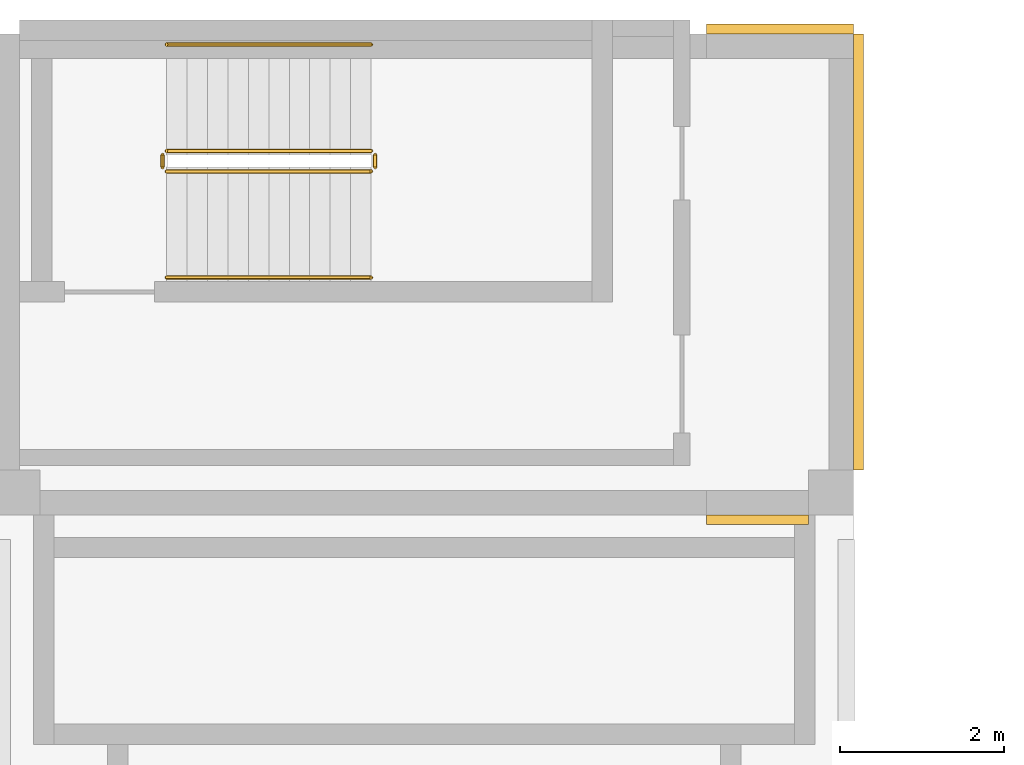
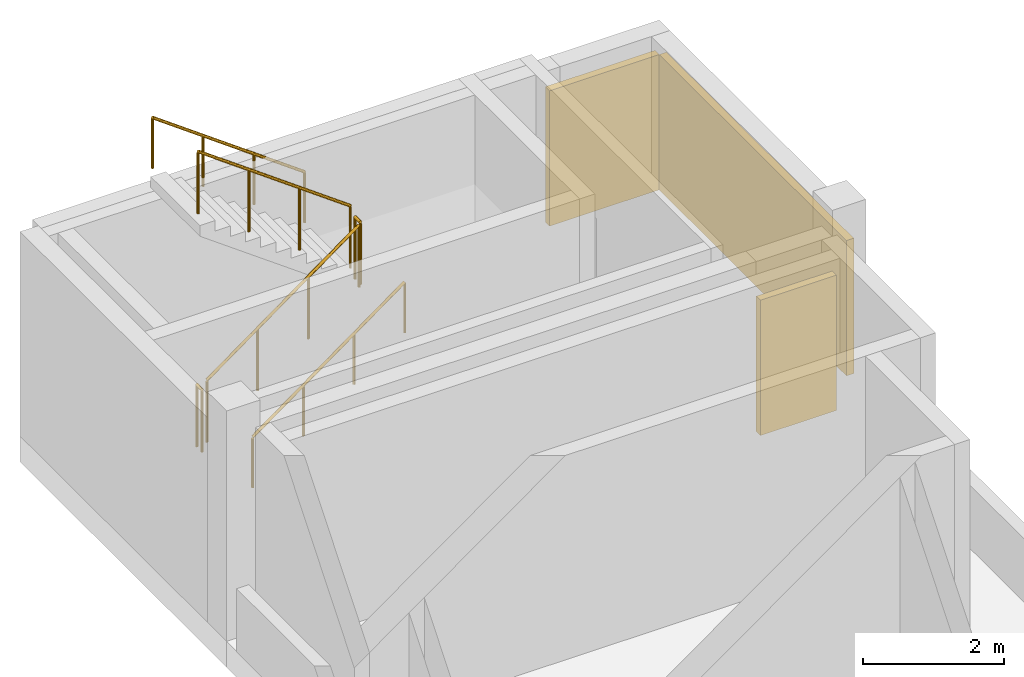
# One storey, part 4 of 4: 6 railings, 3 coverings.
"""IFC4 building model written with IfcOpenShell, lengths in metres."""

from ifc_helpers import new_model, si_unit, direction, frame, origin, origin_2d, place, context, subcontext, project, spatial, rectangle, circle, extrude, source, transform, mapped, material, type_object, element, save


model = new_model("IFC4")

# Units and contexts
model_context = context("Model", 3, precision=1e-05, world=origin(), true_north=direction((0.0, 1.0)))
body_context = subcontext(model_context, "Body", "Model", "MODEL_VIEW")
ifc_project = project(units=[si_unit("LENGTHUNIT", "METRE"), si_unit("AREAUNIT", "SQUARE_METRE"), si_unit("VOLUMEUNIT", "CUBIC_METRE"), si_unit("PLANEANGLEUNIT", "RADIAN"), si_unit("MASSUNIT", "GRAM", prefix="KILO")], contexts=[model_context])

# Site, building, storey
site_placement = place(None, origin())
site = spatial("IfcSite", under=ifc_project, at=site_placement, CompositionType="ELEMENT")
building_placement = place(site_placement, origin())
building = spatial("IfcBuilding", under=site, at=building_placement, Name="Aurelian Terraces", CompositionType="ELEMENT")
storey_placement = place(building_placement, frame((0.0, 0.0, 376.5)))
storey = spatial("IfcBuildingStorey", under=building, at=storey_placement, Name="L90", CompositionType="ELEMENT", Elevation=376.5)

# Coverings
ifc_material_1 = material(Name="Terracotta rainscreen cladding louvre blades", Category="masonry")
covering_type = type_object("IfcCoveringType", Name="LOUVRE-TC", PredefinedType="CLADDING", material=ifc_material_1)
covering_1_placement = place(storey_placement, frame((19.825, 37.74, 0.6), z_axis=(0.0, 0.0, 1.0), x_axis=(1.0, 0.0, 0.0)))
element("IfcCovering", 1, at=covering_1_placement, inside=storey, type_object=covering_type, Name="LOUVRE L90 F05", PredefinedType="CLADDING", context=body_context, shape_type="SweptSolid", body=[
    extrude(rectangle(XDim=1.25, YDim=0.12, at=origin_2d()), origin(), (0.0, 0.0, 1.0), 2.35),
])
covering_2_placement = place(storey_placement, frame((21.06, 41.015, 0.6), z_axis=(0.0, 0.0, 1.0), x_axis=(1.0, 0.0, 0.0)))
element("IfcCovering", 2, at=covering_2_placement, inside=storey, type_object=covering_type, Name="LOUVRE L90 F06", PredefinedType="CLADDING", context=body_context, shape_type="SweptSolid", body=[
    extrude(rectangle(XDim=0.12, YDim=5.33, at=origin_2d()), origin(), (0.0, 0.0, 1.0), 2.35),
])
shared_shape_1 = source(origin(), body_context, "Body", "SweptSolid", [
    extrude(rectangle(XDim=1.8, YDim=0.12, at=origin_2d()), origin(), (0.0, 0.0, 1.0), 2.35),
])
covering_3_placement = place(storey_placement, frame((20.1, 43.74, 0.6), z_axis=(0.0, 0.0, 1.0), x_axis=(1.0, 0.0, 0.0)))
element("IfcCovering", 3, at=covering_3_placement, inside=storey, type_object=covering_type, Name="LOUVRE L90 F07", PredefinedType="CLADDING", context=body_context, shape_type="MappedRepresentation", body=[
    mapped(shared_shape_1, transform((0.0, 0.0, 0.0), scale=1.0)),
])

# Railings
ifc_material_2 = material(Name="Stainless steel", Category="steel")
railing_type_1 = type_object("IfcRailingType", Name="Stair guard 1100", PredefinedType="GUARDRAIL", material=ifc_material_2)
shared_shape_2 = source(origin(), body_context, "Body", "SweptSolid", [
    extrude(circle(Radius=0.024, at=origin_2d()), frame((0.0, 0.0, 1.076), z_axis=(0.0, 1.0, 0.0), x_axis=(-1.0, 0.0, 0.0)), (0.0, 0.0, 1.0), 0.15),
    extrude(circle(Radius=0.021, at=origin_2d()), origin(), (0.0, 0.0, 1.0), 1.052),
    extrude(circle(Radius=0.021, at=origin_2d()), frame((0.0, 0.15, 0.0)), (0.0, 0.0, 1.0), 1.052),
])
for number, where, name in (
    (4, (15.15, 42.05, 2.0), "L90 S3U stair guard 2"),
    (5, (12.55, 42.05, 0.0), "L90 S3U stair guard 4"),
):
    element("IfcRailing", number, at=place(storey_placement, frame(where)), inside=storey, type_object=railing_type_1, Name=name, PredefinedType="GUARDRAIL", context=body_context, shape_type="MappedRepresentation", body=[
        mapped(shared_shape_2, transform((0.0, 0.0, 0.0), scale=1.0)),
    ])
shared_shape_3 = source(origin(), body_context, "Body", "SweptSolid", [
    extrude(circle(Radius=0.024, at=origin_2d()), frame((0.0, 0.0, 1.076), z_axis=(0.808733286514, 0.0, 0.588175544616), x_axis=(0.0, 1.0, 0.0)), (0.0, 0.0, 1.0), 3.0913),
    extrude(circle(Radius=0.021, at=origin_2d()), origin(), (0.0, 0.0, 1.0), 1.052),
    extrude(circle(Radius=0.021, at=origin_2d()), frame((0.8333, 0.0, 0.6061)), (0.0, 0.0, 1.0), 1.052),
    extrude(circle(Radius=0.021, at=origin_2d()), frame((1.6667, 0.0, 1.2121)), (0.0, 0.0, 1.0), 1.052),
    extrude(circle(Radius=0.021, at=origin_2d()), frame((2.5, 0.0, 1.8182)), (0.0, 0.0, 1.0), 1.052),
])
railing_1_placement = place(storey_placement, frame((12.6, 42.0, 0.1818)))
element("IfcRailing", 6, at=railing_1_placement, inside=storey, type_object=railing_type_1, Name="L90 S3U stair guard 1", PredefinedType="GUARDRAIL", context=body_context, shape_type="MappedRepresentation", body=[
    mapped(shared_shape_3, transform((0.0, 0.0, 0.0), scale=1.0)),
])
shared_shape_4 = source(origin(), body_context, "Body", "SweptSolid", [
    extrude(circle(Radius=0.024, at=origin_2d()), frame((0.0, 0.0, 1.076), z_axis=(-0.808733286514, 0.0, 0.588175544616), x_axis=(0.0, -1.0, 0.0)), (0.0, 0.0, 1.0), 3.0913),
    extrude(circle(Radius=0.021, at=origin_2d()), origin(), (0.0, 0.0, 1.0), 1.052),
    extrude(circle(Radius=0.021, at=origin_2d()), frame((-0.8333, 0.0, 0.6061)), (0.0, 0.0, 1.0), 1.052),
    extrude(circle(Radius=0.021, at=origin_2d()), frame((-1.6667, 0.0, 1.2121)), (0.0, 0.0, 1.0), 1.052),
    extrude(circle(Radius=0.021, at=origin_2d()), frame((-2.5, 0.0, 1.8182)), (0.0, 0.0, 1.0), 1.052),
])
railing_2_placement = place(storey_placement, frame((15.1, 42.25, 2.1818)))
element("IfcRailing", 7, at=railing_2_placement, inside=storey, type_object=railing_type_1, Name="L90 S3U stair guard 3", PredefinedType="GUARDRAIL", context=body_context, shape_type="MappedRepresentation", body=[
    mapped(shared_shape_4, transform((0.0, 0.0, 0.0), scale=1.0)),
])
railing_type_2 = type_object("IfcRailingType", Name="Stair handrail", PredefinedType="HANDRAIL", material=ifc_material_2)
shared_shape_5 = source(origin(), body_context, "Body", "SweptSolid", [
    extrude(circle(Radius=0.024, at=origin_2d()), frame((0.0, 0.0, 0.876), z_axis=(0.808733286514, 0.0, 0.588175544616), x_axis=(0.0, 1.0, 0.0)), (0.0, 0.0, 1.0), 3.0913),
    extrude(circle(Radius=0.021, at=origin_2d()), origin(), (0.0, 0.0, 1.0), 0.852),
    extrude(circle(Radius=0.021, at=origin_2d()), frame((0.8333, 0.0, 0.6061)), (0.0, 0.0, 1.0), 0.852),
    extrude(circle(Radius=0.021, at=origin_2d()), frame((1.6667, 0.0, 1.2121)), (0.0, 0.0, 1.0), 0.852),
    extrude(circle(Radius=0.021, at=origin_2d()), frame((2.5, 0.0, 1.8182)), (0.0, 0.0, 1.0), 0.852),
])
railing_3_placement = place(storey_placement, frame((12.6, 40.7, 0.1818)))
element("IfcRailing", 8, at=railing_3_placement, inside=storey, type_object=railing_type_2, Name="L90 S3U stair handrail 1", PredefinedType="HANDRAIL", context=body_context, shape_type="MappedRepresentation", body=[
    mapped(shared_shape_5, transform((0.0, 0.0, 0.0), scale=1.0)),
])
shared_shape_6 = source(origin(), body_context, "Body", "SweptSolid", [
    extrude(circle(Radius=0.024, at=origin_2d()), frame((0.0, 0.0, 0.876), z_axis=(-0.808733286514, 0.0, 0.588175544616), x_axis=(0.0, -1.0, 0.0)), (0.0, 0.0, 1.0), 3.0913),
    extrude(circle(Radius=0.021, at=origin_2d()), origin(), (0.0, 0.0, 1.0), 0.852),
    extrude(circle(Radius=0.021, at=origin_2d()), frame((-0.8333, 0.0, 0.6061)), (0.0, 0.0, 1.0), 0.852),
    extrude(circle(Radius=0.021, at=origin_2d()), frame((-1.6667, 0.0, 1.2121)), (0.0, 0.0, 1.0), 0.852),
    extrude(circle(Radius=0.021, at=origin_2d()), frame((-2.5, 0.0, 1.8182)), (0.0, 0.0, 1.0), 0.852),
])
railing_4_placement = place(storey_placement, frame((15.1, 43.55, 2.1818)))
element("IfcRailing", 9, at=railing_4_placement, inside=storey, type_object=railing_type_2, Name="L90 S3U stair handrail 2", PredefinedType="HANDRAIL", context=body_context, shape_type="MappedRepresentation", body=[
    mapped(shared_shape_6, transform((0.0, 0.0, 0.0), scale=1.0)),
])

save(model, "model.ifc")
